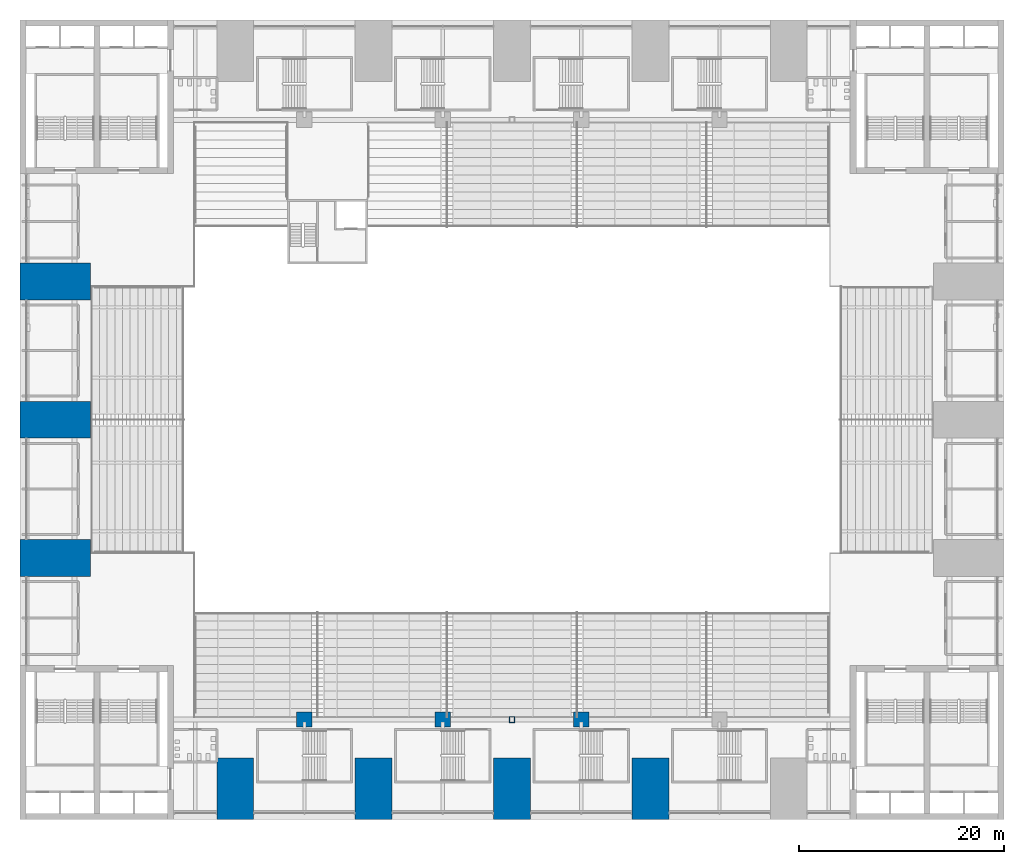
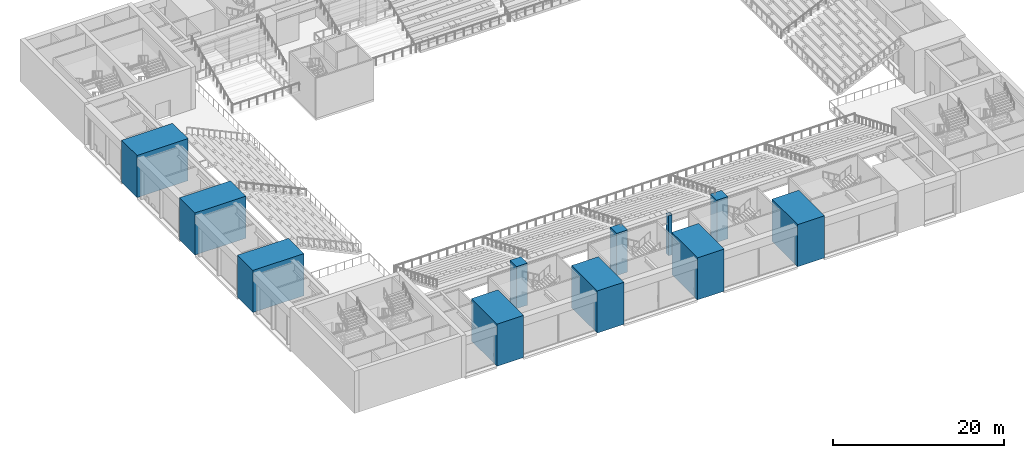
# One storey, part 1 of 61: 11 columns.
"""IFC4 building model written with IfcOpenShell, lengths in metres."""

from ifc_helpers import new_model, si_unit, direction, frame, origin, origin_2d, place, context, subcontext, project, spatial, rectangle, hollow_rectangle, extrude, material, material_profile, profile_set, type_object, element, save


model = new_model("IFC4")

# Units and contexts
model_context = context("Model", 3, precision=1e-05, world=origin(), true_north=direction((0.0, 1.0)))
body_context = subcontext(model_context, "Body", "Model", "MODEL_VIEW")
ifc_project = project(units=[si_unit("LENGTHUNIT", "METRE"), si_unit("AREAUNIT", "SQUARE_METRE"), si_unit("VOLUMEUNIT", "CUBIC_METRE"), si_unit("PLANEANGLEUNIT", "RADIAN"), si_unit("MASSUNIT", "GRAM", prefix="KILO")], contexts=[model_context])

# Site, building, storey
site_placement = place(None, origin())
site = spatial("IfcSite", under=ifc_project, at=site_placement, CompositionType="ELEMENT")
building_placement = place(site_placement, origin())
building = spatial("IfcBuilding", under=site, at=building_placement, Name="Corbelhall Arena Tower", CompositionType="ELEMENT")
storey_placement = place(building_placement, frame((0.0, 0.0, 31.0)))
storey = spatial("IfcBuildingStorey", under=building, at=storey_placement, Name="L04", CompositionType="ELEMENT", Elevation=31.0)

# Columns
ifc_material_1 = material(Name="Steel ASTM A572 Gr50", Category="steel")
ifc_material_profile_1 = material_profile(ifc_material_1, hollow_rectangle(XDim=0.5, YDim=0.60009765625, WallThickness=0.030029296875, at=origin_2d()))
ifc_profile_set_1 = profile_set([ifc_material_profile_1], Name="Steel ASTM A572 Gr50")
column_type_1 = type_object("IfcColumnType", Name="AR-TIER-POST", PredefinedType="COLUMN", material=ifc_profile_set_1)
column_placement = place(storey_placement, frame((0.0, -29.2548828125, 0.0), z_axis=(0.0, 0.0, 1.0), x_axis=(1.0, 0.0, 0.0)))
element("IfcColumn", 1, at=column_placement, inside=storey, type_object=column_type_1, Name="Tier rear post US", PredefinedType="COLUMN", context=body_context, shape_type="SweptSolid", body=[
    extrude(hollow_rectangle(XDim=0.5, YDim=0.60009765625, WallThickness=0.030029296875, at=origin_2d()), origin(), (0.0, 0.0, 1.0), 5.699951171875),
])
ifc_material_2 = material(Name="Concrete C80/95", Category="concrete")
ifc_material_profile_2 = material_profile(ifc_material_2, rectangle(XDim=3.60009765625, YDim=6.0, at=origin_2d()))
ifc_profile_set_2 = profile_set([ifc_material_profile_2], Name="Concrete C80/95")
column_type_2 = type_object("IfcColumnType", Name="PO-PIER-L04", PredefinedType="COLUMN", material=ifc_profile_set_2)
for number, where, z_axis, x_axis, name in (
    (2, (-27.0, -36.0, 0.0), (0.0, 0.0, 1.0), (1.0, 0.0, 0.0), "PIER S-27.0 L04"),
    (3, (-13.5, -36.0, 0.0), (0.0, 0.0, 1.0), (1.0, 0.0, 0.0), "PIER S-13.5 L04"),
    (4, (0.0, -36.0, 0.0), (0.0, 0.0, 1.0), (1.0, 0.0, 0.0), "PIER S+0.0 L04"),
    (5, (13.5, -36.0, 0.0), (0.0, 0.0, 1.0), (1.0, 0.0, 0.0), "PIER S+13.5 L04"),
):
    element("IfcColumn", number, at=place(storey_placement, frame(where, z_axis=z_axis, x_axis=x_axis)), inside=storey, type_object=column_type_2, Name=name, PredefinedType="COLUMN", context=body_context, shape_type="SweptSolid", body=[
        extrude(rectangle(XDim=3.60009765625, YDim=6.0, at=origin_2d()), origin(), (0.0, 0.0, 1.0), 6.0),
    ])
ifc_material_profile_3 = material_profile(ifc_material_2, rectangle(XDim=3.60009765625, YDim=6.8798828125, at=origin_2d()))
ifc_profile_set_3 = profile_set([ifc_material_profile_3], Name="Concrete C80/95")
column_type_3 = type_object("IfcColumnType", Name="PO-PIER-L04B", PredefinedType="COLUMN", material=ifc_profile_set_3)
for number, where, z_axis, x_axis, name in (
    (6, (-44.56005859375, -13.5, 0.0), (0.0, 0.0, 1.0), (0.0, -1.0, 0.0), "PIER W-13.5 L04"),
    (7, (-44.56005859375, 0.0, 0.0), (0.0, 0.0, 1.0), (0.0, -1.0, 0.0), "PIER W+0.0 L04"),
    (8, (-44.56005859375, 13.5, 0.0), (0.0, 0.0, 1.0), (0.0, -1.0, 0.0), "PIER W+13.5 L04"),
):
    element("IfcColumn", number, at=place(storey_placement, frame(where, z_axis=z_axis, x_axis=x_axis)), inside=storey, type_object=column_type_3, Name=name, PredefinedType="COLUMN", context=body_context, shape_type="SweptSolid", body=[
        extrude(rectangle(XDim=3.60009765625, YDim=6.8798828125, at=origin_2d()), origin(), (0.0, 0.0, 1.0), 6.0),
    ])
ifc_material_profile_4 = material_profile(ifc_material_2, rectangle(XDim=1.5, YDim=1.5, at=origin_2d()))
ifc_profile_set_4 = profile_set([ifc_material_profile_4], Name="Concrete C80/95")
column_type_4 = type_object("IfcColumnType", Name="PO-RINGCOL-1500", PredefinedType="COLUMN", material=ifc_profile_set_4)
for number, where, z_axis, x_axis, name in (
    (9, (-20.25, -29.25, 0.0), (0.0, 0.0, 1.0), (1.0, 0.0, 0.0), "RING COLUMN -20.25 -29.25 L04"),
    (10, (-6.75, -29.25, 0.0), (0.0, 0.0, 1.0), (1.0, 0.0, 0.0), "RING COLUMN -6.75 -29.25 L04"),
    (11, (6.75, -29.25, 0.0), (0.0, 0.0, 1.0), (1.0, 0.0, 0.0), "RING COLUMN +6.75 -29.25 L04"),
):
    element("IfcColumn", number, at=place(storey_placement, frame(where, z_axis=z_axis, x_axis=x_axis)), inside=storey, type_object=column_type_4, Name=name, PredefinedType="COLUMN", context=body_context, shape_type="SweptSolid", body=[
        extrude(rectangle(XDim=1.5, YDim=1.5, at=origin_2d()), origin(), (0.0, 0.0, 1.0), 6.0),
    ])

save(model, "model.ifc")
